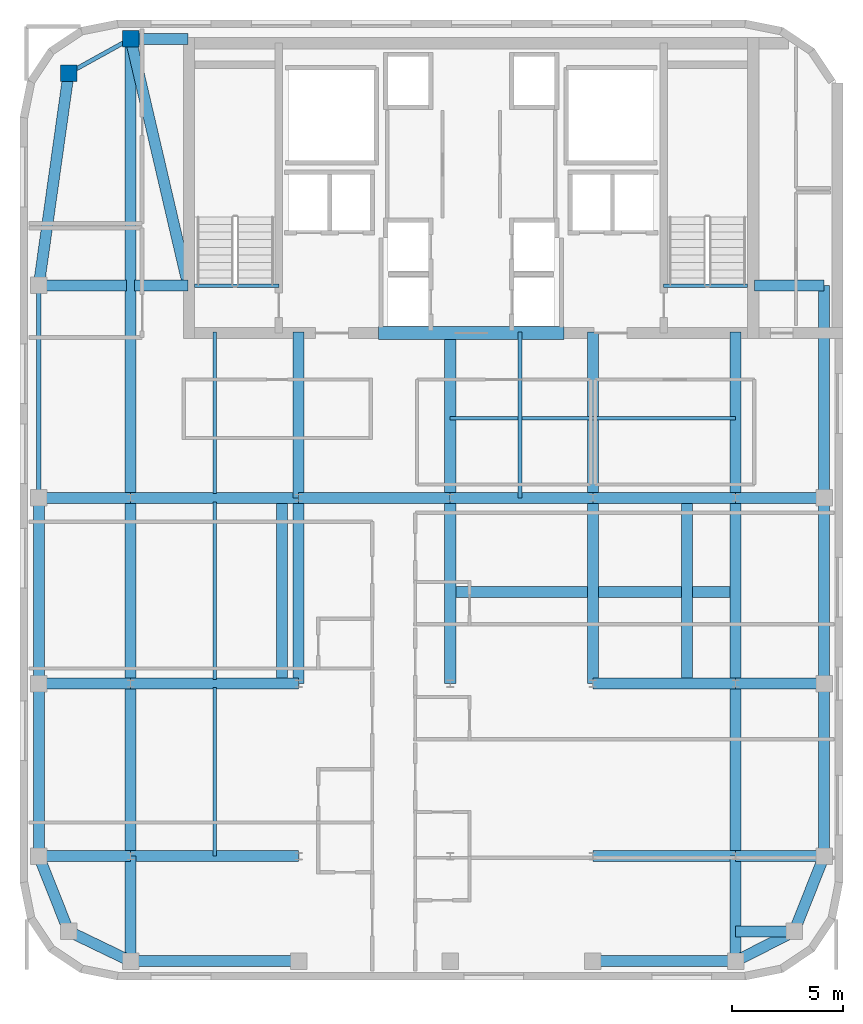
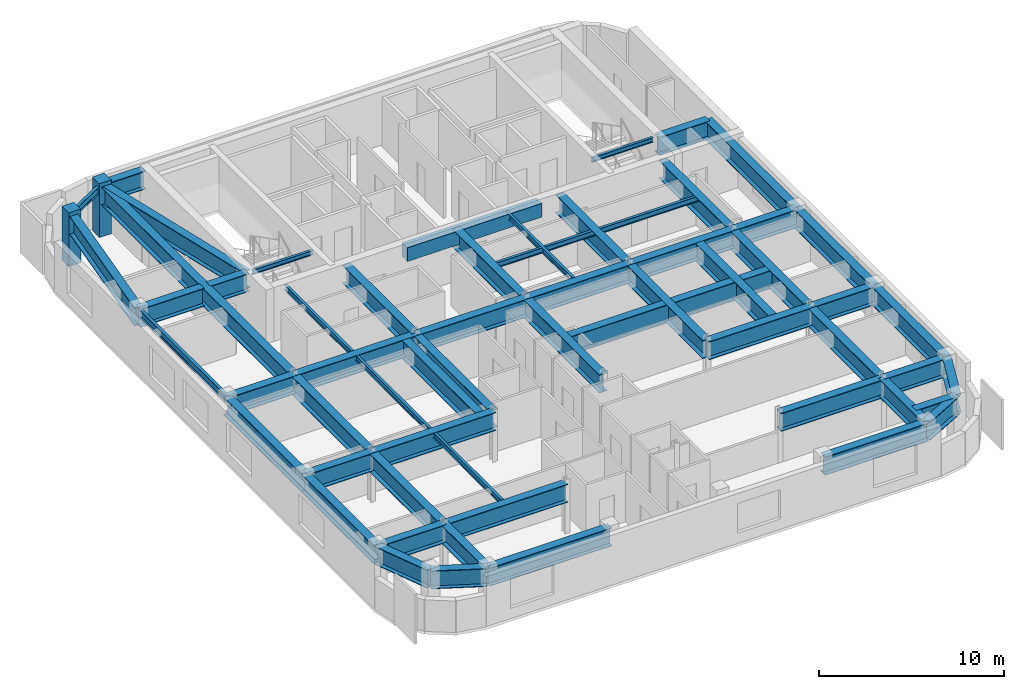
# One storey, part 2 of 8: 59 beams, 2 columns.
"""IFC4 building model written with IfcOpenShell, lengths in metres."""

from ifc_helpers import new_model, si_unit, direction, frame, origin, origin_2d, place, context, subcontext, project, spatial, rectangle, i_section, extrude, source, transform, mapped, material, material_profile, profile_set, type_object, type_shapes, element, save


model = new_model("IFC4")

# Units and contexts
model_context = context("Model", 3, precision=1e-05, world=origin(), true_north=direction((0.0, 1.0)))
body_context = subcontext(model_context, "Body", "Model", "MODEL_VIEW")
ifc_project = project(units=[si_unit("LENGTHUNIT", "METRE"), si_unit("AREAUNIT", "SQUARE_METRE"), si_unit("VOLUMEUNIT", "CUBIC_METRE"), si_unit("PLANEANGLEUNIT", "RADIAN"), si_unit("MASSUNIT", "GRAM", prefix="KILO")], contexts=[model_context])

# Site, building, storey
site_placement = place(None, origin())
site = spatial("IfcSite", under=ifc_project, at=site_placement, CompositionType="ELEMENT")
building_placement = place(site_placement, origin())
building = spatial("IfcBuilding", under=site, at=building_placement, Name="Tolvann Quenvar Hotel", CompositionType="ELEMENT")
storey_placement = place(building_placement, frame((0.0, 0.0, 238.10009765625)))
storey = spatial("IfcBuildingStorey", under=building, at=storey_placement, Name="L63", CompositionType="ELEMENT", Elevation=238.10009765625)

# Columns
ifc_material_1 = material(Name="Concrete N50 (50 MPa)", Category="concrete")
ifc_material_profile_1 = material_profile(ifc_material_1, rectangle(XDim=0.75, YDim=0.75, at=origin_2d()), Name="RC750x750")
ifc_profile_set_1 = profile_set([ifc_material_profile_1], Name="Concrete N50 (50 MPa)")
column_type = type_object("IfcColumnType", Name="COL_RC750", PredefinedType="COLUMN", material=ifc_profile_set_1)
shared_shape_1 = source(origin(), body_context, "Body", "SweptSolid", [
    extrude(rectangle(XDim=0.75, YDim=0.75, at=origin_2d()), origin(), (0.0, 0.0, 1.0), 3.5498046875),
])
type_shapes(column_type, [shared_shape_1])
for number, where, z_axis, x_axis, name in (
    (1, (4.800048828125, 43.60009765625, 0.0), (0.0, 0.0, 1.0), (1.0, 0.0, 0.0), "Column BN (L63)"),
    (2, (7.60009765625, 45.14990234375, 0.0), (0.0, 0.0, 1.0), (1.0, 0.0, 0.0), "Column CN (L63)"),
):
    element("IfcColumn", number, at=place(storey_placement, frame(where, z_axis=z_axis, x_axis=x_axis)), inside=storey, type_object=column_type, Name=name, PredefinedType="COLUMN", context=body_context, shape_type="MappedRepresentation", body=[
        mapped(shared_shape_1, transform((0.0, 0.0, 0.0), x_axis=(1.0, 0.0, 0.0), y_axis=(0.0, 1.0, 0.0), z_axis=(0.0, 0.0, 1.0), scale=1.0)),
    ])

# Beams
ifc_material_profile_2 = material_profile(ifc_material_1, rectangle(XDim=0.60009765625, YDim=0.89990234375, at=origin_2d()), Name="RC600x900")
ifc_profile_set_2 = profile_set([ifc_material_profile_2], Name="Concrete N50 (50 MPa)")
beam_type_1 = type_object("IfcBeamType", Name="BM_LINT_RC600x900", PredefinedType="LINTEL", material=ifc_profile_set_2)
shared_shape_2 = source(origin(), body_context, "Body", "SweptSolid", [
    extrude(rectangle(XDim=0.60009765625, YDim=0.89990234375, at=origin_2d()), origin(), (0.0, 0.0, 1.0), 8.39990234375),
])
type_shapes(beam_type_1, [shared_shape_2])
beam_1_placement = place(storey_placement, frame((18.800048828125, 31.85009765625, 2.83984375), z_axis=(1.0, 0.0, 0.0), x_axis=(0.0, 1.0, 0.0)))
element("IfcBeam", 3, at=beam_1_placement, inside=storey, type_object=beam_type_1, Name="Core Coupling Lintel Beam (L63)", PredefinedType="LINTEL", context=body_context, shape_type="MappedRepresentation", body=[
    mapped(shared_shape_2, transform((0.0, 0.0, 0.0), x_axis=(1.0, 0.0, 0.0), y_axis=(0.0, 1.0, 0.0), z_axis=(0.0, 0.0, 1.0), scale=1.0)),
])
ifc_material_2 = material(Name="Steel Grade 350", Category="steel")
ifc_material_profile_3 = material_profile(ifc_material_2, i_section(OverallWidth=0.5, OverallDepth=1.199951171875, WebThickness=0.01611328125, FlangeThickness=0.0400390625, at=origin_2d()), Name="1200WB455")
ifc_profile_set_3 = profile_set([ifc_material_profile_3], Name="Steel Grade 350")
beam_type_2 = type_object("IfcBeamType", Name="BM_TG_1200WB455", PredefinedType="USERDEFINED", material=ifc_profile_set_3)
shared_shape_3 = source(origin(), body_context, "Body", "SweptSolid", [
    extrude(i_section(OverallWidth=0.5, OverallDepth=1.199951171875, WebThickness=0.01611328125, FlangeThickness=0.0400390625, at=origin_2d()), origin(), (0.0, 0.0, 1.0), 7.5),
])
for number, where, z_axis, x_axis, name in (
    (4, (15.199951171875, 24.39990234375, 2.68994140625), (0.0, 1.0, 0.0), (-1.0, 0.0, 0.0), "BM-L63-CORE-D5"),
    (5, (22.050048828125, 24.39990234375, 2.68994140625), (0.0, 1.0, 0.0), (-1.0, 0.0, 0.0), "BM-L63-CORE-E5"),
    (6, (34.949951171875, 24.39990234375, 2.68994140625), (0.0, 1.0, 0.0), (-1.0, 0.0, 0.0), "BM-L63-CORE-F5"),
    (7, (28.5, 24.39990234375, 2.68994140625), (0.0, 1.0, 0.0), (-1.0, 0.0, 0.0), "BM-L63-CORE-M5"),
):
    element("IfcBeam", number, at=place(storey_placement, frame(where, z_axis=z_axis, x_axis=x_axis)), inside=storey, type_object=beam_type_2, Name=name, ObjectType="TRANSFER GIRDER", PredefinedType="USERDEFINED", context=body_context, shape_type="MappedRepresentation", body=[
        mapped(shared_shape_3, transform((0.0, 0.0, 0.0), x_axis=(1.0, 0.0, 0.0), y_axis=(0.0, 1.0, 0.0), z_axis=(0.0, 0.0, 1.0), scale=1.0)),
    ])
shared_shape_4 = source(origin(), body_context, "Body", "SweptSolid", [
    extrude(i_section(OverallWidth=0.5, OverallDepth=1.199951171875, WebThickness=0.01611328125, FlangeThickness=0.0400390625, at=origin_2d()), origin(), (0.0, 0.0, 1.0), 7.599853515625),
])
for number, where, z_axis, x_axis, name in (
    (8, (7.60009765625, 3.449951171875, 2.68994140625), (1.0, 0.0, 0.0), (0.0, 1.0, 0.0), "Setback Transfer Girder L63-D2"),
    (9, (7.60009765625, 8.199951171875, 2.68994140625), (1.0, 0.0, 0.0), (0.0, 1.0, 0.0), "Setback Transfer Girder L63-D3"),
    (10, (7.60009765625, 16.0, 2.68994140625), (1.0, 0.0, 0.0), (0.0, 1.0, 0.0), "BM-L63-EW-4-C4-D4"),
    (11, (7.60009765625, 24.39990234375, 2.68994140625), (1.0, 0.0, 0.0), (0.0, 1.0, 0.0), "BM-L63-EW-5-C5-D5"),
):
    element("IfcBeam", number, at=place(storey_placement, frame(where, z_axis=z_axis, x_axis=x_axis)), inside=storey, type_object=beam_type_2, Name=name, ObjectType="TRANSFER GIRDER", PredefinedType="USERDEFINED", context=body_context, shape_type="MappedRepresentation", body=[
        mapped(shared_shape_4, transform((0.0, 0.0, 0.0), x_axis=(1.0, 0.0, 0.0), y_axis=(0.0, 1.0, 0.0), z_axis=(0.0, 0.0, 1.0), scale=1.0)),
    ])
shared_shape_5 = source(origin(), body_context, "Body", "SweptSolid", [
    extrude(i_section(OverallWidth=0.5, OverallDepth=1.199951171875, WebThickness=0.01611328125, FlangeThickness=0.0400390625, at=origin_2d()), origin(), (0.0, 0.0, 1.0), 6.449951171875),
])
for number, where, z_axis, x_axis, name in (
    (12, (28.5, 3.449951171875, 2.68994140625), (1.0, 0.0, 0.0), (0.0, 1.0, 0.0), "TG-L63-FP2"),
    (13, (28.5, 8.199951171875, 2.68994140625), (1.0, 0.0, 0.0), (0.0, 1.0, 0.0), "TG-L63-FP3"),
    (14, (28.5, 16.0, 2.68994140625), (1.0, 0.0, 0.0), (0.0, 1.0, 0.0), "TG-L63-FP4"),
    (15, (22.050048828125, 24.39990234375, 2.68994140625), (1.0, 0.0, 0.0), (0.0, 1.0, 0.0), "BM-L63-EW-5-E5-M5"),
    (16, (28.5, 24.39990234375, 2.68994140625), (1.0, 0.0, 0.0), (0.0, 1.0, 0.0), "BM-L63-EW-5-M5-F5"),
):
    element("IfcBeam", number, at=place(storey_placement, frame(where, z_axis=z_axis, x_axis=x_axis)), inside=storey, type_object=beam_type_2, Name=name, ObjectType="TRANSFER GIRDER", PredefinedType="USERDEFINED", context=body_context, shape_type="MappedRepresentation", body=[
        mapped(shared_shape_5, transform((0.0, 0.0, 0.0), x_axis=(1.0, 0.0, 0.0), y_axis=(0.0, 1.0, 0.0), z_axis=(0.0, 0.0, 1.0), scale=1.0)),
    ])
shared_shape_6 = source(origin(), body_context, "Body", "SweptSolid", [
    extrude(i_section(OverallWidth=0.5, OverallDepth=1.199951171875, WebThickness=0.01611328125, FlangeThickness=0.0400390625, at=origin_2d()), origin(), (0.0, 0.0, 1.0), 9.60009765625),
])
beam_2_placement = place(storey_placement, frame((38.949951171875, 24.39990234375, 2.68994140625), z_axis=(0.0, 1.0, 0.0), x_axis=(-1.0, 0.0, 0.0)))
element("IfcBeam", 17, at=beam_2_placement, inside=storey, type_object=beam_type_2, Name="TG-L63-G5N", ObjectType="TRANSFER GIRDER", PredefinedType="USERDEFINED", context=body_context, shape_type="MappedRepresentation", body=[
    mapped(shared_shape_6, transform((0.0, 0.0, 0.0), x_axis=(1.0, 0.0, 0.0), y_axis=(0.0, 1.0, 0.0), z_axis=(0.0, 0.0, 1.0), scale=1.0)),
])
shared_shape_7 = source(origin(), body_context, "Body", "SweptSolid", [
    extrude(i_section(OverallWidth=0.5, OverallDepth=1.199951171875, WebThickness=0.01611328125, FlangeThickness=0.0400390625, at=origin_2d()), origin(), (0.0, 0.0, 1.0), 20.75),
])
beam_3_placement = place(storey_placement, frame((7.60009765625, 24.39990234375, 2.68994140625), z_axis=(0.0, 1.0, 0.0), x_axis=(-1.0, 0.0, 0.0)))
element("IfcBeam", 18, at=beam_3_placement, inside=storey, type_object=beam_type_2, Name="BM-L63-FLK-WC", ObjectType="TRANSFER GIRDER", PredefinedType="USERDEFINED", context=body_context, shape_type="MappedRepresentation", body=[
    mapped(shared_shape_7, transform((0.0, 0.0, 0.0), x_axis=(1.0, 0.0, 0.0), y_axis=(0.0, 1.0, 0.0), z_axis=(0.0, 0.0, 1.0), scale=1.0)),
])
shared_shape_8 = source(origin(), body_context, "Body", "SweptSolid", [
    extrude(i_section(OverallWidth=0.5, OverallDepth=1.199951171875, WebThickness=0.01611328125, FlangeThickness=0.0400390625, at=origin_2d()), origin(), (0.0, 0.0, 1.0), 2.419921875),
])
beam_4_placement = place(storey_placement, frame((7.780029296875, 34.0, 2.68994140625), z_axis=(1.0, 0.0, 0.0), x_axis=(0.0, 1.0, 0.0)))
element("IfcBeam", 19, at=beam_4_placement, inside=storey, type_object=beam_type_2, Name="BM-L63-CTW-MID2", ObjectType="TRANSFER GIRDER", PredefinedType="USERDEFINED", context=body_context, shape_type="MappedRepresentation", body=[
    mapped(shared_shape_8, transform((0.0, 0.0, 0.0), x_axis=(1.0, 0.0, 0.0), y_axis=(0.0, 1.0, 0.0), z_axis=(0.0, 0.0, 1.0), scale=1.0)),
])
shared_shape_9 = source(origin(), body_context, "Body", "SweptSolid", [
    extrude(i_section(OverallWidth=0.5, OverallDepth=1.199951171875, WebThickness=0.01611328125, FlangeThickness=0.0400390625, at=origin_2d()), origin(), (0.0, 0.0, 1.0), 2.599853515625),
])
beam_5_placement = place(storey_placement, frame((7.60009765625, 45.14990234375, 2.68994140625), z_axis=(1.0, 0.0, 0.0), x_axis=(0.0, 1.0, 0.0)))
element("IfcBeam", 20, at=beam_5_placement, inside=storey, type_object=beam_type_2, Name="BM-L63-CTW-CN", ObjectType="TRANSFER GIRDER", PredefinedType="USERDEFINED", context=body_context, shape_type="MappedRepresentation", body=[
    mapped(shared_shape_9, transform((0.0, 0.0, 0.0), x_axis=(1.0, 0.0, 0.0), y_axis=(0.0, 1.0, 0.0), z_axis=(0.0, 0.0, 1.0), scale=1.0)),
])
ifc_material_profile_4 = material_profile(ifc_material_2, i_section(OverallWidth=0.166015625, OverallDepth=0.306884765625, WebThickness=0.006591796875, FlangeThickness=0.01171875, FilletRadius=0.011474609375, at=origin_2d()), Name="310UB46")
ifc_profile_set_4 = profile_set([ifc_material_profile_4], Name="Steel Grade 350")
beam_type_3 = type_object("IfcBeamType", Name="BM_JOIST_310UB46", PredefinedType="JOIST", material=ifc_profile_set_4)
shared_shape_10 = source(origin(), body_context, "Body", "SweptSolid", [
    extrude(i_section(OverallWidth=0.166015625, OverallDepth=0.306884765625, WebThickness=0.006591796875, FlangeThickness=0.01171875, FilletRadius=0.011474609375, at=origin_2d()), origin(), (0.0, 0.0, 1.0), 3.800048828125),
])
type_shapes(beam_type_3, [shared_shape_10])
for number, where, z_axis, x_axis, name in (
    (21, (10.5, 33.97998046875, 3.136474609375), (1.0, 0.0, 0.0), (0.0, 1.0, 0.0), "BM-HDR-STC1-L64"),
    (22, (31.699951171875, 33.97998046875, 3.136474609375), (1.0, 0.0, 0.0), (0.0, 1.0, 0.0), "BM-HDR-STC2-L64"),
):
    element("IfcBeam", number, at=place(storey_placement, frame(where, z_axis=z_axis, x_axis=x_axis)), inside=storey, type_object=beam_type_3, Name=name, PredefinedType="JOIST", context=body_context, shape_type="MappedRepresentation", body=[
        mapped(shared_shape_10, transform((0.0, 0.0, 0.0), x_axis=(1.0, 0.0, 0.0), y_axis=(0.0, 1.0, 0.0), z_axis=(0.0, 0.0, 1.0), scale=1.0)),
    ])
shared_shape_11 = source(origin(), body_context, "Body", "SweptSolid", [
    extrude(i_section(OverallWidth=0.5, OverallDepth=1.199951171875, WebThickness=0.01611328125, FlangeThickness=0.0400390625, at=origin_2d()), origin(), (0.0, 0.0, 1.0), 4.150146484375),
])
for number, where, z_axis, x_axis, name in (
    (23, (3.449951171875, 8.199951171875, 2.68994140625), (1.0, 0.0, 0.0), (0.0, 1.0, 0.0), "BM-L63-EW-3-B3-C3"),
    (24, (3.449951171875, 16.0, 2.68994140625), (1.0, 0.0, 0.0), (0.0, 1.0, 0.0), "BM-L63-EW-4-B4-C4"),
    (25, (3.449951171875, 24.39990234375, 2.68994140625), (1.0, 0.0, 0.0), (0.0, 1.0, 0.0), "BM-L63-EW-5-B5-C5"),
):
    element("IfcBeam", number, at=place(storey_placement, frame(where, z_axis=z_axis, x_axis=x_axis)), inside=storey, type_object=beam_type_2, Name=name, ObjectType="TRANSFER GIRDER", PredefinedType="USERDEFINED", context=body_context, shape_type="MappedRepresentation", body=[
        mapped(shared_shape_11, transform((0.0, 0.0, 0.0), x_axis=(1.0, 0.0, 0.0), y_axis=(0.0, 1.0, 0.0), z_axis=(0.0, 0.0, 1.0), scale=1.0)),
    ])
shared_shape_12 = source(origin(), body_context, "Body", "SweptSolid", [
    extrude(i_section(OverallWidth=0.5, OverallDepth=1.199951171875, WebThickness=0.01611328125, FlangeThickness=0.0400390625, at=origin_2d()), origin(), (0.0, 0.0, 1.0), 7.800048828125),
])
for number, where, z_axis, x_axis, name in (
    (26, (3.449951171875, 8.199951171875, 2.68994140625), (0.0, 1.0, 0.0), (-1.0, 0.0, 0.0), "BM-L63-NS-B3-B4"),
    (27, (7.60009765625, 8.199951171875, 2.68994140625), (0.0, 1.0, 0.0), (-1.0, 0.0, 0.0), "BM-L63-NS-C3-C4"),
    (28, (34.949951171875, 8.199951171875, 2.68994140625), (0.0, 1.0, 0.0), (-1.0, 0.0, 0.0), "BM-L63-NS-F3-F4"),
    (29, (38.949951171875, 8.199951171875, 2.68994140625), (0.0, 1.0, 0.0), (-1.0, 0.0, 0.0), "BM-L63-NS-G3-G4"),
):
    element("IfcBeam", number, at=place(storey_placement, frame(where, z_axis=z_axis, x_axis=x_axis)), inside=storey, type_object=beam_type_2, Name=name, ObjectType="TRANSFER GIRDER", PredefinedType="USERDEFINED", context=body_context, shape_type="MappedRepresentation", body=[
        mapped(shared_shape_12, transform((0.0, 0.0, 0.0), x_axis=(1.0, 0.0, 0.0), y_axis=(0.0, 1.0, 0.0), z_axis=(0.0, 0.0, 1.0), scale=1.0)),
    ])
shared_shape_13 = source(origin(), body_context, "Body", "SweptSolid", [
    extrude(i_section(OverallWidth=0.5, OverallDepth=1.199951171875, WebThickness=0.01611328125, FlangeThickness=0.0400390625, at=origin_2d()), origin(), (0.0, 0.0, 1.0), 6.85009765625),
])
beam_6_placement = place(storey_placement, frame((15.199951171875, 24.39990234375, 2.68994140625), z_axis=(1.0, 0.0, 0.0), x_axis=(0.0, 1.0, 0.0)))
element("IfcBeam", 30, at=beam_6_placement, inside=storey, type_object=beam_type_2, Name="BM-L63-EW-5-D5-E5", ObjectType="TRANSFER GIRDER", PredefinedType="USERDEFINED", context=body_context, shape_type="MappedRepresentation", body=[
    mapped(shared_shape_13, transform((0.0, 0.0, 0.0), x_axis=(1.0, 0.0, 0.0), y_axis=(0.0, 1.0, 0.0), z_axis=(0.0, 0.0, 1.0), scale=1.0)),
])
shared_shape_14 = source(origin(), body_context, "Body", "SweptSolid", [
    extrude(i_section(OverallWidth=0.5, OverallDepth=1.199951171875, WebThickness=0.01611328125, FlangeThickness=0.0400390625, at=origin_2d()), origin(), (0.0, 0.0, 1.0), 12.89990234375),
])
beam_7_placement = place(storey_placement, frame((22.050048828125, 20.14990234375, 2.68994140625), z_axis=(1.0, 0.0, 0.0), x_axis=(0.0, 1.0, 0.0)))
element("IfcBeam", 31, at=beam_7_placement, inside=storey, type_object=beam_type_2, Name="BM-L63-SPINE-20", ObjectType="TRANSFER GIRDER", PredefinedType="USERDEFINED", context=body_context, shape_type="MappedRepresentation", body=[
    mapped(shared_shape_14, transform((0.0, 0.0, 0.0), x_axis=(1.0, 0.0, 0.0), y_axis=(0.0, 1.0, 0.0), z_axis=(0.0, 0.0, 1.0), scale=1.0)),
])
shared_shape_15 = source(origin(), body_context, "Body", "SweptSolid", [
    extrude(i_section(OverallWidth=0.5, OverallDepth=1.199951171875, WebThickness=0.01611328125, FlangeThickness=0.0400390625, at=origin_2d()), origin(), (0.0, 0.0, 1.0), 8.39990234375),
])
for number, where, z_axis, x_axis, name in (
    (32, (32.75, 16.0, 2.68994140625), (0.0, 1.0, 0.0), (-1.0, 0.0, 0.0), "TG-L63-FP4P"),
    (33, (14.449951171875, 16.0, 2.68994140625), (0.0, 1.0, 0.0), (-1.0, 0.0, 0.0), "TG-L63-D4P"),
    (34, (22.050048828125, 16.0, 2.68994140625), (0.0, 1.0, 0.0), (-1.0, 0.0, 0.0), "TG-L63-E4P"),
    (35, (28.5, 16.0, 2.68994140625), (0.0, 1.0, 0.0), (-1.0, 0.0, 0.0), "TG-L63-M4P"),
    (36, (3.449951171875, 16.0, 2.68994140625), (0.0, 1.0, 0.0), (-1.0, 0.0, 0.0), "BM-L63-NS-B4-B5"),
    (37, (7.60009765625, 16.0, 2.68994140625), (0.0, 1.0, 0.0), (-1.0, 0.0, 0.0), "BM-L63-NS-C4-C5"),
    (38, (15.199951171875, 16.0, 2.68994140625), (0.0, 1.0, 0.0), (-1.0, 0.0, 0.0), "BM-L63-NS-D4-D5"),
    (39, (34.949951171875, 16.0, 2.68994140625), (0.0, 1.0, 0.0), (-1.0, 0.0, 0.0), "BM-L63-NS-F4-F5"),
    (40, (38.949951171875, 16.0, 2.68994140625), (0.0, 1.0, 0.0), (-1.0, 0.0, 0.0), "BM-L63-NS-G4-G5"),
):
    element("IfcBeam", number, at=place(storey_placement, frame(where, z_axis=z_axis, x_axis=x_axis)), inside=storey, type_object=beam_type_2, Name=name, ObjectType="TRANSFER GIRDER", PredefinedType="USERDEFINED", context=body_context, shape_type="MappedRepresentation", body=[
        mapped(shared_shape_15, transform((0.0, 0.0, 0.0), x_axis=(1.0, 0.0, 0.0), y_axis=(0.0, 1.0, 0.0), z_axis=(0.0, 0.0, 1.0), scale=1.0)),
    ])
shared_shape_16 = source(origin(), body_context, "Body", "SweptSolid", [
    extrude(i_section(OverallWidth=0.5, OverallDepth=1.199951171875, WebThickness=0.01611328125, FlangeThickness=0.0400390625, at=origin_2d()), origin(), (0.0, 0.0, 1.0), 3.108642578125),
])
beam_8_placement = place(storey_placement, frame((4.800048828125, 4.800048828125, 2.68994140625), z_axis=(0.900759354066, -0.434318530646, 0.0), x_axis=(0.434318530646, 0.900759354066, 0.0)))
element("IfcBeam", 41, at=beam_8_placement, inside=storey, type_object=beam_type_2, Name="BM-L63-EW-2-B2-C2", ObjectType="TRANSFER GIRDER", PredefinedType="USERDEFINED", context=body_context, shape_type="MappedRepresentation", body=[
    mapped(shared_shape_16, transform((0.0, 0.0, 0.0), x_axis=(1.0, 0.0, 0.0), y_axis=(0.0, 1.0, 0.0), z_axis=(0.0, 0.0, 1.0), scale=1.0)),
])
shared_shape_17 = source(origin(), body_context, "Body", "SweptSolid", [
    extrude(i_section(OverallWidth=0.5, OverallDepth=1.199951171875, WebThickness=0.01611328125, FlangeThickness=0.0400390625, at=origin_2d()), origin(), (0.0, 0.0, 1.0), 3.658203125),
])
beam_9_placement = place(storey_placement, frame((4.800048828125, 4.800048828125, 2.68994140625), z_axis=(-0.369065163807, 0.929403521009, 0.0), x_axis=(-0.929403521009, -0.369065163807, 0.0)))
element("IfcBeam", 42, at=beam_9_placement, inside=storey, type_object=beam_type_2, Name="BM-L63-NS-B2-B3", ObjectType="TRANSFER GIRDER", PredefinedType="USERDEFINED", context=body_context, shape_type="MappedRepresentation", body=[
    mapped(shared_shape_17, transform((0.0, 0.0, 0.0), x_axis=(1.0, 0.0, 0.0), y_axis=(0.0, 1.0, 0.0), z_axis=(0.0, 0.0, 1.0), scale=1.0)),
])
shared_shape_18 = source(origin(), body_context, "Body", "SweptSolid", [
    extrude(i_section(OverallWidth=0.5, OverallDepth=1.199951171875, WebThickness=0.01611328125, FlangeThickness=0.0400390625, at=origin_2d()), origin(), (0.0, 0.0, 1.0), 4.75),
])
for number, where, z_axis, x_axis, name in (
    (43, (7.60009765625, 3.449951171875, 2.68994140625), (0.0, 1.0, 0.0), (-1.0, 0.0, 0.0), "BM-L63-NS-C2-C3"),
    (44, (34.949951171875, 3.449951171875, 2.68994140625), (0.0, 1.0, 0.0), (-1.0, 0.0, 0.0), "BM-L63-NS-F2-F3"),
):
    element("IfcBeam", number, at=place(storey_placement, frame(where, z_axis=z_axis, x_axis=x_axis)), inside=storey, type_object=beam_type_2, Name=name, ObjectType="TRANSFER GIRDER", PredefinedType="USERDEFINED", context=body_context, shape_type="MappedRepresentation", body=[
        mapped(shared_shape_18, transform((0.0, 0.0, 0.0), x_axis=(1.0, 0.0, 0.0), y_axis=(0.0, 1.0, 0.0), z_axis=(0.0, 0.0, 1.0), scale=1.0)),
    ])
shared_shape_19 = source(origin(), body_context, "Body", "SweptSolid", [
    extrude(i_section(OverallWidth=0.5, OverallDepth=1.199951171875, WebThickness=0.01611328125, FlangeThickness=0.0400390625, at=origin_2d()), origin(), (0.0, 0.0, 1.0), 3.969970703125),
])
beam_10_placement = place(storey_placement, frame((3.449951171875, 34.0, 2.68994140625), z_axis=(1.0, 0.0, 0.0), x_axis=(0.0, 1.0, 0.0)))
element("IfcBeam", 45, at=beam_10_placement, inside=storey, type_object=beam_type_2, Name="BM-L63-CTW-MID1", ObjectType="TRANSFER GIRDER", PredefinedType="USERDEFINED", context=body_context, shape_type="MappedRepresentation", body=[
    mapped(shared_shape_19, transform((0.0, 0.0, 0.0), x_axis=(1.0, 0.0, 0.0), y_axis=(0.0, 1.0, 0.0), z_axis=(0.0, 0.0, 1.0), scale=1.0)),
])
shared_shape_20 = source(origin(), body_context, "Body", "SweptSolid", [
    extrude(i_section(OverallWidth=0.5, OverallDepth=1.199951171875, WebThickness=0.01611328125, FlangeThickness=0.0400390625, at=origin_2d()), origin(), (0.0, 0.0, 1.0), 9.694580078125),
])
beam_11_placement = place(storey_placement, frame((4.800048828125, 43.60009765625, 2.68994140625), z_axis=(-0.139263320262, -0.990255385055, 0.0), x_axis=(0.990255385055, -0.139263320262, 0.0)))
element("IfcBeam", 46, at=beam_11_placement, inside=storey, type_object=beam_type_2, Name="Setback Transfer Girder L63-BN", ObjectType="TRANSFER GIRDER", PredefinedType="USERDEFINED", context=body_context, shape_type="MappedRepresentation", body=[
    mapped(shared_shape_20, transform((0.0, 0.0, 0.0), x_axis=(1.0, 0.0, 0.0), y_axis=(0.0, 1.0, 0.0), z_axis=(0.0, 0.0, 1.0), scale=1.0)),
])
ifc_material_profile_5 = material_profile(ifc_material_2, i_section(OverallWidth=0.172119140625, OverallDepth=0.35888671875, WebThickness=0.008056640625, FlangeThickness=0.012939453125, FilletRadius=0.011474609375, at=origin_2d()), Name="360UB57")
ifc_profile_set_5 = profile_set([ifc_material_profile_5], Name="Steel Grade 350")
beam_type_4 = type_object("IfcBeamType", Name="BM_JOIST_360UB57", PredefinedType="JOIST", material=ifc_profile_set_5)
shared_shape_21 = source(origin(), body_context, "Body", "SweptSolid", [
    extrude(i_section(OverallWidth=0.172119140625, OverallDepth=0.35888671875, WebThickness=0.008056640625, FlangeThickness=0.012939453125, FilletRadius=0.011474609375, at=origin_2d()), origin(), (0.0, 0.0, 1.0), 12.89990234375),
])
beam_12_placement = place(storey_placement, frame((22.050048828125, 28.0, 3.1103515625), z_axis=(1.0, 0.0, 0.0), x_axis=(0.0, 1.0, 0.0)))
element("IfcBeam", 47, at=beam_12_placement, inside=storey, type_object=beam_type_4, Name="BM-L63-SPINE-28", PredefinedType="JOIST", context=body_context, shape_type="MappedRepresentation", body=[
    mapped(shared_shape_21, transform((0.0, 0.0, 0.0), x_axis=(1.0, 0.0, 0.0), y_axis=(0.0, 1.0, 0.0), z_axis=(0.0, 0.0, 1.0), scale=1.0)),
])
shared_shape_22 = source(origin(), body_context, "Body", "SweptSolid", [
    extrude(i_section(OverallWidth=0.172119140625, OverallDepth=0.35888671875, WebThickness=0.008056640625, FlangeThickness=0.012939453125, FilletRadius=0.011474609375, at=origin_2d()), origin(), (0.0, 0.0, 1.0), 7.614990234375),
])
beam_13_placement = place(storey_placement, frame((11.39990234375, 8.199951171875, 3.1103515625), z_axis=(0.0, 1.0, 0.0), x_axis=(-1.0, 0.0, 0.0)))
element("IfcBeam", 48, at=beam_13_placement, inside=storey, type_object=beam_type_4, Name="BJ-L63-114-82", PredefinedType="JOIST", context=body_context, shape_type="MappedRepresentation", body=[
    mapped(shared_shape_22, transform((0.0, 0.0, 0.0), x_axis=(1.0, 0.0, 0.0), y_axis=(0.0, 1.0, 0.0), z_axis=(0.0, 0.0, 1.0), scale=1.0)),
])
shared_shape_23 = source(origin(), body_context, "Body", "SweptSolid", [
    extrude(i_section(OverallWidth=0.172119140625, OverallDepth=0.35888671875, WebThickness=0.008056640625, FlangeThickness=0.012939453125, FilletRadius=0.011474609375, at=origin_2d()), origin(), (0.0, 0.0, 1.0), 8.030029296875),
])
beam_14_placement = place(storey_placement, frame((11.39990234375, 16.18505859375, 3.1103515625), z_axis=(0.0, 1.0, 0.0), x_axis=(-1.0, 0.0, 0.0)))
element("IfcBeam", 49, at=beam_14_placement, inside=storey, type_object=beam_type_4, Name="BJ-L63-114-160", PredefinedType="JOIST", context=body_context, shape_type="MappedRepresentation", body=[
    mapped(shared_shape_23, transform((0.0, 0.0, 0.0), x_axis=(1.0, 0.0, 0.0), y_axis=(0.0, 1.0, 0.0), z_axis=(0.0, 0.0, 1.0), scale=1.0)),
])
shared_shape_24 = source(origin(), body_context, "Body", "SweptSolid", [
    extrude(i_section(OverallWidth=0.172119140625, OverallDepth=0.35888671875, WebThickness=0.008056640625, FlangeThickness=0.012939453125, FilletRadius=0.011474609375, at=origin_2d()), origin(), (0.0, 0.0, 1.0), 7.31494140625),
])
beam_15_placement = place(storey_placement, frame((11.39990234375, 24.5849609375, 3.1103515625), z_axis=(0.0, 1.0, 0.0), x_axis=(-1.0, 0.0, 0.0)))
element("IfcBeam", 50, at=beam_15_placement, inside=storey, type_object=beam_type_4, Name="BJ-L63-114-244", PredefinedType="JOIST", context=body_context, shape_type="MappedRepresentation", body=[
    mapped(shared_shape_24, transform((0.0, 0.0, 0.0), x_axis=(1.0, 0.0, 0.0), y_axis=(0.0, 1.0, 0.0), z_axis=(0.0, 0.0, 1.0), scale=1.0)),
])
shared_shape_25 = source(origin(), body_context, "Body", "SweptSolid", [
    extrude(i_section(OverallWidth=0.172119140625, OverallDepth=0.35888671875, WebThickness=0.008056640625, FlangeThickness=0.012939453125, FilletRadius=0.011474609375, at=origin_2d()), origin(), (0.0, 0.0, 1.0), 7.5),
])
type_shapes(beam_type_4, [shared_shape_21, shared_shape_22, shared_shape_23, shared_shape_24, shared_shape_25])
beam_16_placement = place(storey_placement, frame((25.199951171875, 24.39990234375, 3.1103515625), z_axis=(0.0, 1.0, 0.0), x_axis=(-1.0, 0.0, 0.0)))
element("IfcBeam", 51, at=beam_16_placement, inside=storey, type_object=beam_type_4, Name="BJ-L63-252-244", PredefinedType="JOIST", context=body_context, shape_type="MappedRepresentation", body=[
    mapped(shared_shape_25, transform((0.0, 0.0, 0.0), x_axis=(1.0, 0.0, 0.0), y_axis=(0.0, 1.0, 0.0), z_axis=(0.0, 0.0, 1.0), scale=1.0)),
])
shared_shape_26 = source(origin(), body_context, "Body", "SweptSolid", [
    extrude(i_section(OverallWidth=0.5, OverallDepth=1.199951171875, WebThickness=0.01611328125, FlangeThickness=0.0400390625, at=origin_2d()), origin(), (0.0, 0.0, 1.0), 2.97412109375),
])
beam_17_placement = place(storey_placement, frame((34.949951171875, 3.449951171875, 2.68994140625), z_axis=(0.891036364695, 0.453931929688, 0.0), x_axis=(-0.453931929688, 0.891036364695, 0.0)))
element("IfcBeam", 52, at=beam_17_placement, inside=storey, type_object=beam_type_2, Name="BM-L63-EW-2-F2-G2", ObjectType="TRANSFER GIRDER", PredefinedType="USERDEFINED", context=body_context, shape_type="MappedRepresentation", body=[
    mapped(shared_shape_26, transform((0.0, 0.0, 0.0), x_axis=(1.0, 0.0, 0.0), y_axis=(0.0, 1.0, 0.0), z_axis=(0.0, 0.0, 1.0), scale=1.0)),
])
ifc_material_profile_6 = material_profile(ifc_material_2, i_section(OverallWidth=0.19091796875, OverallDepth=0.4599609375, WebThickness=0.010009765625, FlangeThickness=0.01611328125, FilletRadius=0.011474609375, at=origin_2d()), Name="460UB82")
ifc_profile_set_6 = profile_set([ifc_material_profile_6], Name="Steel Grade 350")
beam_type_5 = type_object("IfcBeamType", Name="BM_SPAND_460UB82", PredefinedType="SPANDREL", material=ifc_profile_set_6)
shared_shape_27 = source(origin(), body_context, "Body", "SweptSolid", [
    extrude(i_section(OverallWidth=0.19091796875, OverallDepth=0.4599609375, WebThickness=0.010009765625, FlangeThickness=0.01611328125, FilletRadius=0.011474609375, at=origin_2d()), origin(), (0.0, 0.0, 1.0), 9.60009765625),
])
beam_18_placement = place(storey_placement, frame((3.449951171875, 24.39990234375, 3.059814453125), z_axis=(0.0, 1.0, 0.0), x_axis=(-1.0, 0.0, 0.0)))
element("IfcBeam", 53, at=beam_18_placement, inside=storey, type_object=beam_type_5, Name="BM-L63-FLK-W1", PredefinedType="SPANDREL", context=body_context, shape_type="MappedRepresentation", body=[
    mapped(shared_shape_27, transform((0.0, 0.0, 0.0), x_axis=(1.0, 0.0, 0.0), y_axis=(0.0, 1.0, 0.0), z_axis=(0.0, 0.0, 1.0), scale=1.0)),
])
shared_shape_28 = source(origin(), body_context, "Body", "SweptSolid", [
    extrude(i_section(OverallWidth=0.19091796875, OverallDepth=0.4599609375, WebThickness=0.010009765625, FlangeThickness=0.01611328125, FilletRadius=0.011474609375, at=origin_2d()), origin(), (0.0, 0.0, 1.0), 3.200439453125),
])
type_shapes(beam_type_5, [shared_shape_27, shared_shape_28])
beam_19_placement = place(storey_placement, frame((4.800048828125, 43.60009765625, 3.059814453125), z_axis=(0.87492264453, 0.48426270359, 0.0), x_axis=(-0.48426270359, 0.87492264453, 0.0)))
element("IfcBeam", 54, at=beam_19_placement, inside=storey, type_object=beam_type_5, Name="BM-L63-FLK-W3", PredefinedType="SPANDREL", context=body_context, shape_type="MappedRepresentation", body=[
    mapped(shared_shape_28, transform((0.0, 0.0, 0.0), x_axis=(1.0, 0.0, 0.0), y_axis=(0.0, 1.0, 0.0), z_axis=(0.0, 0.0, 1.0), scale=1.0)),
])
shared_shape_29 = source(origin(), body_context, "Body", "SweptSolid", [
    extrude(i_section(OverallWidth=0.5, OverallDepth=1.199951171875, WebThickness=0.01611328125, FlangeThickness=0.0400390625, at=origin_2d()), origin(), (0.0, 0.0, 1.0), 2.650146484375),
])
beam_20_placement = place(storey_placement, frame((34.949951171875, 4.800048828125, 2.68994140625), z_axis=(1.0, 0.0, 0.0), x_axis=(0.0, 1.0, 0.0)))
element("IfcBeam", 55, at=beam_20_placement, inside=storey, type_object=beam_type_2, Name="TG-L63-G2", ObjectType="TRANSFER GIRDER", PredefinedType="USERDEFINED", context=body_context, shape_type="MappedRepresentation", body=[
    mapped(shared_shape_29, transform((0.0, 0.0, 0.0), x_axis=(1.0, 0.0, 0.0), y_axis=(0.0, 1.0, 0.0), z_axis=(0.0, 0.0, 1.0), scale=1.0)),
])
shared_shape_30 = source(origin(), body_context, "Body", "SweptSolid", [
    extrude(i_section(OverallWidth=0.5, OverallDepth=1.199951171875, WebThickness=0.01611328125, FlangeThickness=0.0400390625, at=origin_2d()), origin(), (0.0, 0.0, 1.0), 3.14990234375),
])
beam_21_placement = place(storey_placement, frame((35.800048828125, 34.0, 2.68994140625), z_axis=(1.0, 0.0, 0.0), x_axis=(0.0, 1.0, 0.0)))
element("IfcBeam", 56, at=beam_21_placement, inside=storey, type_object=beam_type_2, Name="TG-L63-GD6", ObjectType="TRANSFER GIRDER", PredefinedType="USERDEFINED", context=body_context, shape_type="MappedRepresentation", body=[
    mapped(shared_shape_30, transform((0.0, 0.0, 0.0), x_axis=(1.0, 0.0, 0.0), y_axis=(0.0, 1.0, 0.0), z_axis=(0.0, 0.0, 1.0), scale=1.0)),
])
shared_shape_31 = source(origin(), body_context, "Body", "SweptSolid", [
    extrude(i_section(OverallWidth=0.5, OverallDepth=1.199951171875, WebThickness=0.01611328125, FlangeThickness=0.0400390625, at=origin_2d()), origin(), (0.0, 0.0, 1.0), 4.0),
])
for number, where, z_axis, x_axis, name in (
    (57, (34.949951171875, 8.199951171875, 2.68994140625), (1.0, 0.0, 0.0), (0.0, 1.0, 0.0), "Setback Transfer Girder L63-G3"),
    (58, (34.949951171875, 16.0, 2.68994140625), (1.0, 0.0, 0.0), (0.0, 1.0, 0.0), "Setback Transfer Girder L63-G4"),
    (59, (34.949951171875, 24.39990234375, 2.68994140625), (1.0, 0.0, 0.0), (0.0, 1.0, 0.0), "Setback Transfer Girder L63-G5"),
):
    element("IfcBeam", number, at=place(storey_placement, frame(where, z_axis=z_axis, x_axis=x_axis)), inside=storey, type_object=beam_type_2, Name=name, ObjectType="TRANSFER GIRDER", PredefinedType="USERDEFINED", context=body_context, shape_type="MappedRepresentation", body=[
        mapped(shared_shape_31, transform((0.0, 0.0, 0.0), x_axis=(1.0, 0.0, 0.0), y_axis=(0.0, 1.0, 0.0), z_axis=(0.0, 0.0, 1.0), scale=1.0)),
    ])
shared_shape_32 = source(origin(), body_context, "Body", "SweptSolid", [
    extrude(i_section(OverallWidth=0.5, OverallDepth=1.199951171875, WebThickness=0.01611328125, FlangeThickness=0.0400390625, at=origin_2d()), origin(), (0.0, 0.0, 1.0), 11.448974609375),
])
beam_22_placement = place(storey_placement, frame((7.60009765625, 45.14990234375, 2.68994140625), z_axis=(0.227081309852, -0.973875802511, 0.0), x_axis=(0.973875802511, 0.227081309852, 0.0)))
element("IfcBeam", 60, at=beam_22_placement, inside=storey, type_object=beam_type_2, Name="Setback Transfer Girder L63-CN", ObjectType="TRANSFER GIRDER", PredefinedType="USERDEFINED", context=body_context, shape_type="MappedRepresentation", body=[
    mapped(shared_shape_32, transform((0.0, 0.0, 0.0), x_axis=(1.0, 0.0, 0.0), y_axis=(0.0, 1.0, 0.0), z_axis=(0.0, 0.0, 1.0), scale=1.0)),
])
shared_shape_33 = source(origin(), body_context, "Body", "SweptSolid", [
    extrude(i_section(OverallWidth=0.5, OverallDepth=1.199951171875, WebThickness=0.01611328125, FlangeThickness=0.0400390625, at=origin_2d()), origin(), (0.0, 0.0, 1.0), 3.657958984375),
])
type_shapes(beam_type_2, [shared_shape_3, shared_shape_4, shared_shape_5, shared_shape_6, shared_shape_7, shared_shape_8, shared_shape_9, shared_shape_11, shared_shape_12, shared_shape_13, shared_shape_14, shared_shape_15, shared_shape_16, shared_shape_17, shared_shape_18, shared_shape_19, shared_shape_20, shared_shape_26, shared_shape_29, shared_shape_30, shared_shape_31, shared_shape_32, shared_shape_33])
beam_23_placement = place(storey_placement, frame((37.60009765625, 4.800048828125, 2.68994140625), z_axis=(0.369007513371, 0.929426411867, 0.0), x_axis=(-0.929426411867, 0.369007513371, 0.0)))
element("IfcBeam", 61, at=beam_23_placement, inside=storey, type_object=beam_type_2, Name="BM-L63-NS-G2-G3", ObjectType="TRANSFER GIRDER", PredefinedType="USERDEFINED", context=body_context, shape_type="MappedRepresentation", body=[
    mapped(shared_shape_33, transform((0.0, 0.0, 0.0), x_axis=(1.0, 0.0, 0.0), y_axis=(0.0, 1.0, 0.0), z_axis=(0.0, 0.0, 1.0), scale=1.0)),
])

save(model, "model.ifc")
